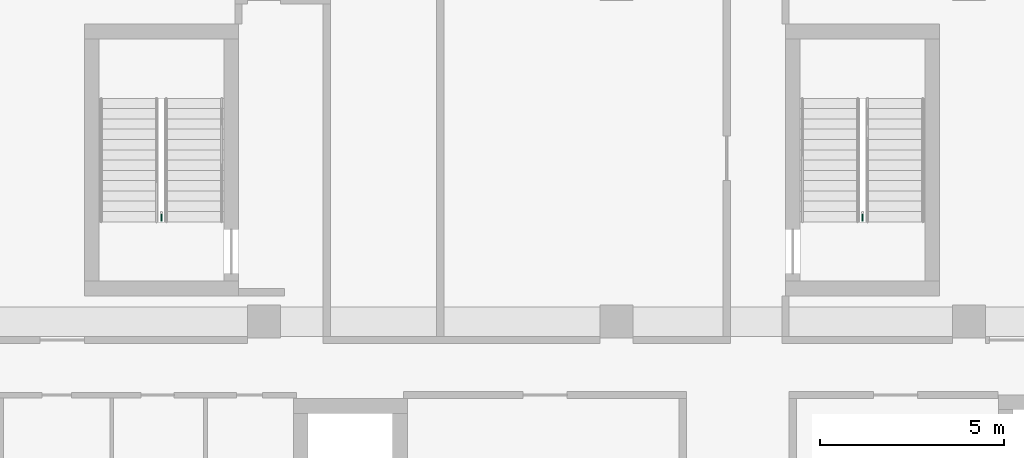
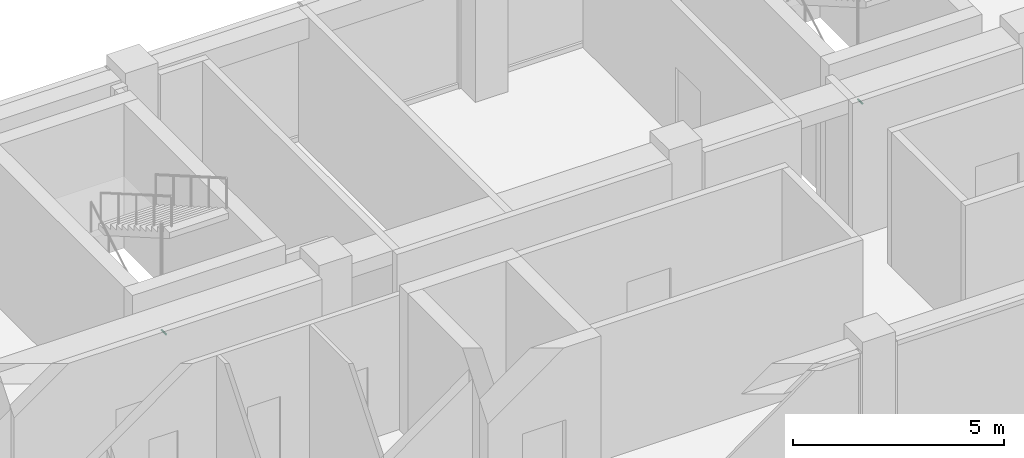
# One storey, part 36 of 36: 2 pipe fittings.
"""IFC4 building model written with IfcOpenShell, lengths in metres."""

from ifc_helpers import new_model, si_unit, direction, frame, origin, origin_2d, place, context, subcontext, project, spatial, circle, extrude, element, save


model = new_model("IFC4")

# Units and contexts
model_context = context("Model", 3, precision=1e-05, world=origin(), true_north=direction((0.0, 1.0)))
body_context = subcontext(model_context, "Body", "Model", "MODEL_VIEW")
ifc_project = project(units=[si_unit("LENGTHUNIT", "METRE"), si_unit("AREAUNIT", "SQUARE_METRE"), si_unit("VOLUMEUNIT", "CUBIC_METRE"), si_unit("PLANEANGLEUNIT", "RADIAN"), si_unit("MASSUNIT", "GRAM", prefix="KILO")], contexts=[model_context])

# Site, building, storey
site_placement = place(None, origin())
site = spatial("IfcSite", under=ifc_project, at=site_placement, CompositionType="ELEMENT")
building_placement = place(site_placement, origin())
building = spatial("IfcBuilding", under=site, at=building_placement, Name="Nzadi Deep Aquarium and Research Tower", CompositionType="ELEMENT")
storey_placement = place(building_placement, frame((0.0, 0.0, 40.300048828125)))
storey = spatial("IfcBuildingStorey", under=building, at=storey_placement, Name="L07", CompositionType="ELEMENT", Elevation=40.300048828125)

# Pipe fittings
for number, where, z_axis, x_axis, name in (
    (1, (6.800048828125, 39.77001953125, 1.099853515625), (0.0, -1.0, 0.0), (1.0, 0.0, 0.0), "Dry riser outlet ST-Z1-NW L07"),
    (2, (25.89990234375, 39.77001953125, 1.099853515625), (0.0, -1.0, 0.0), (1.0, 0.0, 0.0), "Dry riser outlet ST-Z1-NE L07"),
):
    element("IfcPipeFitting", number, at=place(storey_placement, frame(where, z_axis=z_axis, x_axis=x_axis)), inside=storey, Name=name, PredefinedType="EXIT", context=body_context, shape_type="SweptSolid", body=[
        extrude(circle(Radius=0.0224609375, at=origin_2d()), origin(), (0.0, 0.0, 1.0), 0.22998046875),
    ])

save(model, "model.ifc")
